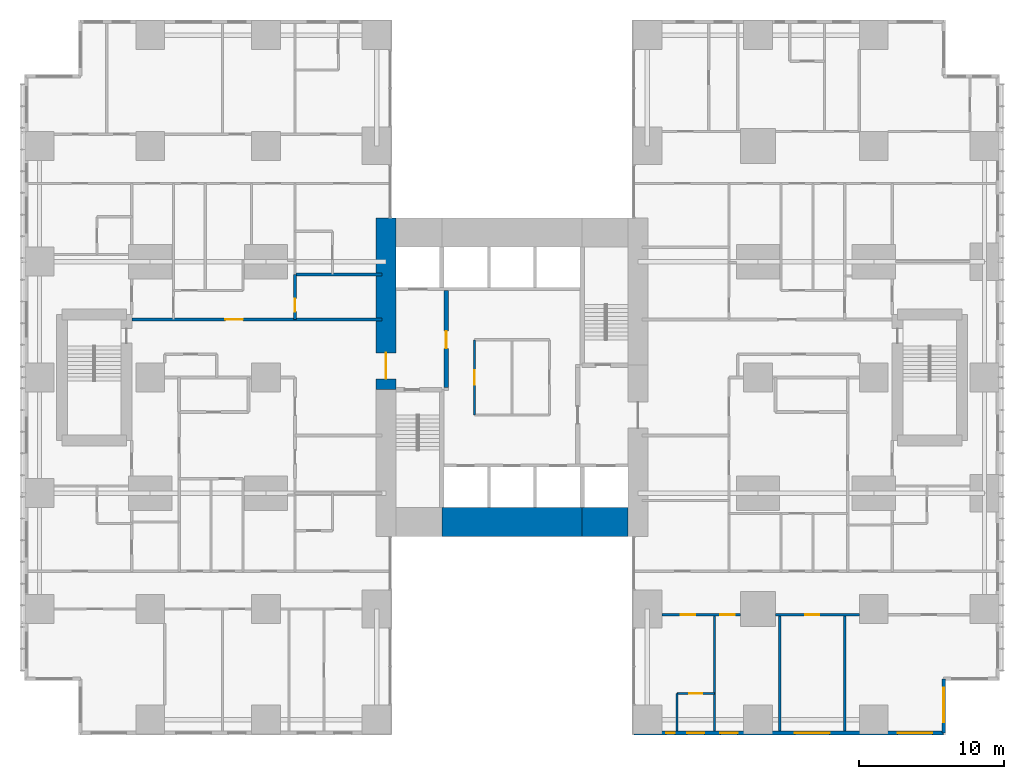
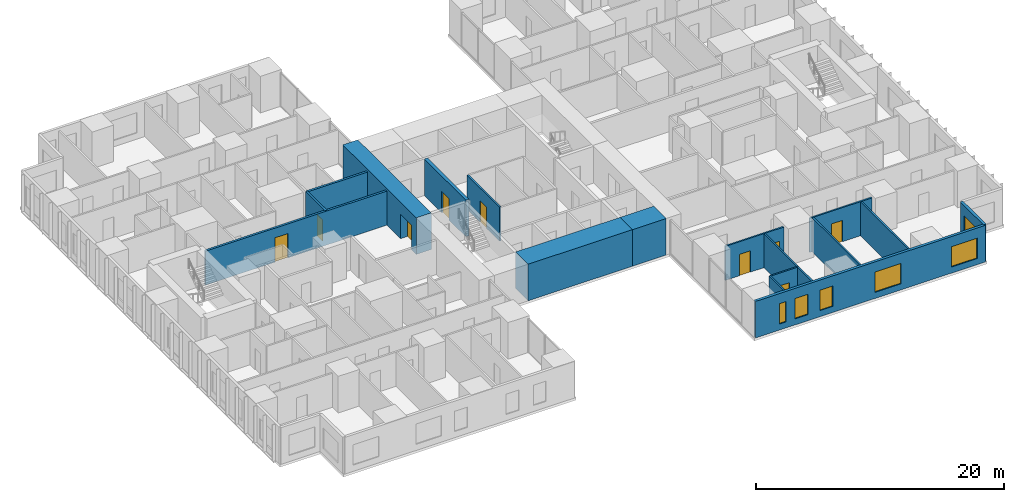
# One storey, part 14 of 20: 17 walls, 9 doors, 6 windows, 15 openings.
"""IFC4 building model written with IfcOpenShell, lengths in metres."""

from ifc_helpers import new_model, si_unit, direction, frame, frame_2d, origin, place, context, subcontext, project, spatial, rectangle, extrude, material, layer, layer_set, type_object, element, fill, save


model = new_model("IFC4")

# Units and contexts
model_context = context("Model", 3, precision=1e-05, world=origin(), true_north=direction((0.0, 1.0)))
body_context = subcontext(model_context, "Body", "Model", "MODEL_VIEW")
ifc_project = project(units=[si_unit("LENGTHUNIT", "METRE"), si_unit("AREAUNIT", "SQUARE_METRE"), si_unit("VOLUMEUNIT", "CUBIC_METRE"), si_unit("PLANEANGLEUNIT", "RADIAN"), si_unit("MASSUNIT", "GRAM", prefix="KILO")], contexts=[model_context])

# Site, building, storey
site_placement = place(None, origin())
site = spatial("IfcSite", under=ifc_project, at=site_placement, CompositionType="ELEMENT")
building_placement = place(site_placement, origin())
building = spatial("IfcBuilding", under=site, at=building_placement, Name="Cleftline Residences", CompositionType="ELEMENT")
storey_placement = place(building_placement, frame((0.0, 0.0, 36.800048828125)))
storey = spatial("IfcBuildingStorey", under=building, at=storey_placement, Name="L08", CompositionType="ELEMENT", Elevation=36.800048828125)

# Wall, opening, door
ifc_material_1 = material(Name="Concrete B70", Category="concrete")
ifc_layer_1 = layer(ifc_material_1, 1.39990234375)
ifc_layer_set_1 = layer_set([ifc_layer_1], Name="CORE WALL 1400")
wall_type_1 = type_object("IfcWallType", Name="CORE WALL 1400", PredefinedType="SHEAR", material=ifc_layer_set_1)
wall_1_placement = place(storey_placement, frame((24.300048828125, 23.14990234375, 0.0), z_axis=(0.0, 0.0, 1.0), x_axis=(0.0, 1.0, 0.0)))
wall_1 = element("IfcWall", 1, at=wall_1_placement, inside=storey, type_object=wall_type_1, Name="Core wall W", PredefinedType="SHEAR", context=body_context, shape_type="SweptSolid", body=[
    extrude(rectangle(XDim=11.85009765625, YDim=1.39990234375, at=frame_2d((5.925048828125, 0.0))), origin(), (0.0, 0.0, 1.0), 3.599853515625),
])
opening_1_placement = place(wall_1_placement, frame((0.75, 0.0, 0.0)))
opening_1 = element("IfcOpeningElement", 2, at=opening_1_placement, cuts=wall_1, Name="Opening D7", PredefinedType="OPENING", context=body_context, shape_type="SweptSolid", body=[
    extrude(rectangle(XDim=1.800048828125, YDim=2.39990234375, at=frame_2d((0.89990234375, 1.199951171875))), frame((0.0, 0.7099609375, 0.0), z_axis=(0.0, -1.0, 0.0), x_axis=(1.0, 0.0, 0.0)), (0.0, 0.0, 1.0), 1.419921875),
])
ifc_material_2 = material(Name="Steel", Category="steel")
door_type_1 = type_object("IfcDoorType", Name="WING DOOR 1800X2400", OperationType="DOUBLE_DOOR_DOUBLE_SWING", PredefinedType="DOOR", material=ifc_material_2)
door_1_placement = place(opening_1_placement, origin())
door_1 = element("IfcDoor", 3, at=door_1_placement, inside=storey, type_object=door_type_1, Name="West wing door", OperationType="DOUBLE_DOOR_DOUBLE_SWING", OverallHeight=2.39990234375, OverallWidth=1.800048828125, PredefinedType="DOOR", context=body_context, shape_type="SweptSolid", body=[
    extrude(rectangle(XDim=1.800048828125, YDim=2.39990234375, at=frame_2d((0.89990234375, 1.199951171875))), frame((0.0, 0.02490234375, 0.0), z_axis=(0.0, -1.0, 0.0), x_axis=(1.0, 0.0, 0.0)), (0.0, 0.0, 1.0), 0.050048828125),
])
fill(opening_1, door_1)

# Walls
ifc_material_3 = material(Name="Concrete B70", Category="concrete")
ifc_layer_2 = layer(ifc_material_3, 2.0)
ifc_layer_set_2 = layer_set([ifc_layer_2], Name="CORE WALL 2000")
wall_type_2 = type_object("IfcWallType", Name="CORE WALL 2000", PredefinedType="SHEAR", material=ifc_layer_set_2)
wall_2_placement = place(storey_placement, frame((28.14990234375, 14.0, 0.0), z_axis=(0.0, 0.0, 1.0), x_axis=(1.0, 0.0, 0.0)))
element("IfcWall", 4, at=wall_2_placement, inside=storey, type_object=wall_type_2, Name="Core wall S2", PredefinedType="SHEAR", context=body_context, shape_type="SweptSolid", body=[
    extrude(rectangle(XDim=9.7001953125, YDim=2.0, at=frame_2d((4.85009765625, 0.0))), origin(), (0.0, 0.0, 1.0), 3.599853515625),
])
wall_3_placement = place(storey_placement, frame((37.85009765625, 14.0, 0.0), z_axis=(0.0, 0.0, 1.0), x_axis=(1.0, 0.0, 0.0)))
element("IfcWall", 5, at=wall_3_placement, inside=storey, type_object=wall_type_2, Name="Core wall S3", PredefinedType="SHEAR", context=body_context, shape_type="SweptSolid", body=[
    extrude(rectangle(XDim=3.14990234375, YDim=2.0, at=frame_2d((1.574951171875, 0.0))), origin(), (0.0, 0.0, 1.0), 3.599853515625),
])

# Wall, openings, windows
ifc_material_4 = material(Name="Rendered reinforced concrete blockwork", Category="masonry")
ifc_layer_3 = layer(ifc_material_4, 0.25)
ifc_layer_set_3 = layer_set([ifc_layer_3], Name="EXTERNAL WALL 250")
wall_type_3 = type_object("IfcWallType", Name="EXTERNAL WALL 250", PredefinedType="SOLIDWALL", material=ifc_layer_set_3)
wall_4_placement = place(storey_placement, frame((41.425048828125, -0.574951171875, 0.0), z_axis=(0.0, 0.0, 1.0), x_axis=(1.0, 0.0, 0.0)))
wall_4 = element("IfcWall", 6, at=wall_4_placement, inside=storey, type_object=wall_type_3, Name="External wall", PredefinedType="SOLIDWALL", context=body_context, shape_type="SweptSolid", body=[
    extrude(rectangle(XDim=21.39990234375, YDim=0.25, at=frame_2d((10.699951171875, 0.0))), origin(), (0.0, 0.0, 1.0), 3.599853515625),
])
opening_2_placement = place(wall_4_placement, frame((2.22509765625, 0.0, 0.60009765625)))
opening_2 = element("IfcOpeningElement", 7, at=opening_2_placement, cuts=wall_4, Name="Opening W7", PredefinedType="OPENING", context=body_context, shape_type="SweptSolid", body=[
    extrude(rectangle(XDim=0.60009765625, YDim=2.0, at=frame_2d((0.300048828125, 1.0))), frame((0.0, 0.135009765625, 0.0), z_axis=(0.0, -1.0, 0.0), x_axis=(1.0, 0.0, 0.0)), (0.0, 0.0, 1.0), 0.27001953125),
])
opening_3_placement = place(wall_4_placement, frame((3.675048828125, 0.0, 0.60009765625)))
opening_3 = element("IfcOpeningElement", 8, at=opening_3_placement, cuts=wall_4, Name="Opening W8", PredefinedType="OPENING", context=body_context, shape_type="SweptSolid", body=[
    extrude(rectangle(XDim=1.199951171875, YDim=2.0, at=frame_2d((0.60009765625, 1.0))), frame((0.0, 0.135009765625, 0.0), z_axis=(0.0, -1.0, 0.0), x_axis=(1.0, 0.0, 0.0)), (0.0, 0.0, 1.0), 0.27001953125),
])
opening_4_placement = place(wall_4_placement, frame((5.97509765625, 0.0, 0.60009765625)))
opening_4 = element("IfcOpeningElement", 9, at=opening_4_placement, cuts=wall_4, Name="Opening W8", PredefinedType="OPENING", context=body_context, shape_type="SweptSolid", body=[
    extrude(rectangle(XDim=1.199951171875, YDim=2.0, at=frame_2d((0.60009765625, 1.0))), frame((0.0, 0.135009765625, 0.0), z_axis=(0.0, -1.0, 0.0), x_axis=(1.0, 0.0, 0.0)), (0.0, 0.0, 1.0), 0.27001953125),
])
opening_5_placement = place(wall_4_placement, frame((11.125, 0.0, 0.60009765625)))
opening_5 = element("IfcOpeningElement", 10, at=opening_5_placement, cuts=wall_4, Name="Opening W6", PredefinedType="OPENING", context=body_context, shape_type="SweptSolid", body=[
    extrude(rectangle(XDim=2.39990234375, YDim=2.0, at=frame_2d((1.199951171875, 1.0))), frame((0.0, 0.135009765625, 0.0), z_axis=(0.0, -1.0, 0.0), x_axis=(1.0, 0.0, 0.0)), (0.0, 0.0, 1.0), 0.27001953125),
])
opening_6_placement = place(wall_4_placement, frame((18.22509765625, 0.0, 0.60009765625)))
opening_6 = element("IfcOpeningElement", 11, at=opening_6_placement, cuts=wall_4, Name="Opening W6", PredefinedType="OPENING", context=body_context, shape_type="SweptSolid", body=[
    extrude(rectangle(XDim=2.39990234375, YDim=2.0, at=frame_2d((1.199951171875, 1.0))), frame((0.0, 0.135009765625, 0.0), z_axis=(0.0, -1.0, 0.0), x_axis=(1.0, 0.0, 0.0)), (0.0, 0.0, 1.0), 0.27001953125),
])
ifc_material_5 = material(Name="Aluminium frame, clear double glazing", Category="aluminium")
window_type_1 = type_object("IfcWindowType", Name="WINDOW 1200X2000", PartitioningType="DOUBLE_PANEL_VERTICAL", PredefinedType="WINDOW", material=ifc_material_5)
window_1_placement = place(opening_3_placement, origin())
window_1 = element("IfcWindow", 12, at=window_1_placement, inside=storey, type_object=window_type_1, Name="Window", OverallHeight=2.0, OverallWidth=1.199951171875, PartitioningType="SINGLE_PANEL", PredefinedType="WINDOW", context=body_context, shape_type="SweptSolid", body=[
    extrude(rectangle(XDim=1.199951171875, YDim=2.0, at=frame_2d((0.60009765625, 1.0))), frame((0.0, 0.030029296875, 0.0), z_axis=(0.0, -1.0, 0.0), x_axis=(1.0, 0.0, 0.0)), (0.0, 0.0, 1.0), 0.06005859375),
])
fill(opening_3, window_1)
window_2_placement = place(opening_4_placement, origin())
window_2 = element("IfcWindow", 13, at=window_2_placement, inside=storey, type_object=window_type_1, Name="Window", OverallHeight=2.0, OverallWidth=1.199951171875, PartitioningType="SINGLE_PANEL", PredefinedType="WINDOW", context=body_context, shape_type="SweptSolid", body=[
    extrude(rectangle(XDim=1.199951171875, YDim=2.0, at=frame_2d((0.60009765625, 1.0))), frame((0.0, 0.030029296875, 0.0), z_axis=(0.0, -1.0, 0.0), x_axis=(1.0, 0.0, 0.0)), (0.0, 0.0, 1.0), 0.06005859375),
])
fill(opening_4, window_2)
ifc_material_6 = material(Name="Aluminium frame, clear double glazing", Category="aluminium")
window_type_2 = type_object("IfcWindowType", Name="WINDOW 2400X2000", PartitioningType="DOUBLE_PANEL_VERTICAL", PredefinedType="WINDOW", material=ifc_material_6)
window_3_placement = place(opening_5_placement, origin())
window_3 = element("IfcWindow", 14, at=window_3_placement, inside=storey, type_object=window_type_2, Name="Window", OverallHeight=2.0, OverallWidth=2.39990234375, PartitioningType="SINGLE_PANEL", PredefinedType="WINDOW", context=body_context, shape_type="SweptSolid", body=[
    extrude(rectangle(XDim=2.39990234375, YDim=2.0, at=frame_2d((1.199951171875, 1.0))), frame((0.0, 0.030029296875, 0.0), z_axis=(0.0, -1.0, 0.0), x_axis=(1.0, 0.0, 0.0)), (0.0, 0.0, 1.0), 0.06005859375),
])
fill(opening_5, window_3)
window_4_placement = place(opening_6_placement, origin())
window_4 = element("IfcWindow", 15, at=window_4_placement, inside=storey, type_object=window_type_2, Name="Window", OverallHeight=2.0, OverallWidth=2.39990234375, PartitioningType="SINGLE_PANEL", PredefinedType="WINDOW", context=body_context, shape_type="SweptSolid", body=[
    extrude(rectangle(XDim=2.39990234375, YDim=2.0, at=frame_2d((1.199951171875, 1.0))), frame((0.0, 0.030029296875, 0.0), z_axis=(0.0, -1.0, 0.0), x_axis=(1.0, 0.0, 0.0)), (0.0, 0.0, 1.0), 0.06005859375),
])
fill(opening_6, window_4)
ifc_material_7 = material(Name="Aluminium frame, clear double glazing", Category="aluminium")
window_type_3 = type_object("IfcWindowType", Name="WINDOW 600X2000", PartitioningType="DOUBLE_PANEL_VERTICAL", PredefinedType="WINDOW", material=ifc_material_7)
window_5_placement = place(opening_2_placement, origin())
window_5 = element("IfcWindow", 16, at=window_5_placement, inside=storey, type_object=window_type_3, Name="Window", OverallHeight=2.0, OverallWidth=0.60009765625, PartitioningType="SINGLE_PANEL", PredefinedType="WINDOW", context=body_context, shape_type="SweptSolid", body=[
    extrude(rectangle(XDim=0.60009765625, YDim=2.0, at=frame_2d((0.300048828125, 1.0))), frame((0.0, 0.030029296875, 0.0), z_axis=(0.0, -1.0, 0.0), x_axis=(1.0, 0.0, 0.0)), (0.0, 0.0, 1.0), 0.06005859375),
])
fill(opening_2, window_5)

# Wall, opening, window
wall_5_placement = place(storey_placement, frame((62.824951171875, -0.574951171875, 0.0), z_axis=(0.0, 0.0, 1.0), x_axis=(0.0, 1.0, 0.0)))
wall_5 = element("IfcWall", 17, at=wall_5_placement, inside=storey, type_object=wall_type_3, Name="External wall", PredefinedType="SOLIDWALL", context=body_context, shape_type="SweptSolid", body=[
    extrude(rectangle(XDim=3.75, YDim=0.25, at=frame_2d((1.875, 0.0))), origin(), (0.0, 0.0, 1.0), 3.599853515625),
])
opening_7_placement = place(wall_5_placement, frame((0.737548828125, 0.0, 0.60009765625)))
opening_7 = element("IfcOpeningElement", 18, at=opening_7_placement, cuts=wall_5, Name="Opening W6", PredefinedType="OPENING", context=body_context, shape_type="SweptSolid", body=[
    extrude(rectangle(XDim=2.39990234375, YDim=2.0, at=frame_2d((1.199951171875, 1.0))), frame((0.0, 0.135009765625, 0.0), z_axis=(0.0, -1.0, 0.0), x_axis=(1.0, 0.0, 0.0)), (0.0, 0.0, 1.0), 0.27001953125),
])
window_6_placement = place(opening_7_placement, origin())
window_6 = element("IfcWindow", 19, at=window_6_placement, inside=storey, type_object=window_type_2, Name="Window", OverallHeight=2.0, OverallWidth=2.39990234375, PartitioningType="SINGLE_PANEL", PredefinedType="WINDOW", context=body_context, shape_type="SweptSolid", body=[
    extrude(rectangle(XDim=2.39990234375, YDim=2.0, at=frame_2d((1.199951171875, 1.0))), frame((0.0, 0.030029296875, 0.0), z_axis=(0.0, -1.0, 0.0), x_axis=(1.0, 0.0, 0.0)), (0.0, 0.0, 1.0), 0.06005859375),
])
fill(opening_7, window_6)

# Wall, opening, door
ifc_material_8 = material(Name="Concrete blockwork, fire rated", Category="masonry")
ifc_layer_4 = layer(ifc_material_8, 0.199951171875)
ifc_layer_set_4 = layer_set([ifc_layer_4], Name="FIRE WALL 200")
wall_type_4 = type_object("IfcWallType", Name="FIRE WALL 200", PredefinedType="PARTITIONING", material=ifc_layer_set_4)
wall_6_placement = place(storey_placement, frame((6.72509765625, 28.0, 0.0), z_axis=(0.0, 0.0, 1.0), x_axis=(1.0, 0.0, 0.0)))
wall_6 = element("IfcWall", 20, at=wall_6_placement, inside=storey, type_object=wall_type_4, Name="Fire separating wall", PredefinedType="PARTITIONING", context=body_context, shape_type="SweptSolid", body=[
    extrude(rectangle(XDim=17.27490234375, YDim=0.199951171875, at=frame_2d((8.637451171875, 0.0))), origin(), (0.0, 0.0, 1.0), 3.349853515625),
])
opening_8_placement = place(wall_6_placement, frame((6.47509765625, 0.0, 0.0)))
opening_8 = element("IfcOpeningElement", 21, at=opening_8_placement, cuts=wall_6, Name="Opening D4", PredefinedType="OPENING", context=body_context, shape_type="SweptSolid", body=[
    extrude(rectangle(XDim=1.199951171875, YDim=2.39990234375, at=frame_2d((0.60009765625, 1.199951171875))), frame((0.0, 0.10986328125, 0.0), z_axis=(0.0, -1.0, 0.0), x_axis=(1.0, 0.0, 0.0)), (0.0, 0.0, 1.0), 0.219970703125),
])
ifc_material_9 = material(Name="Timber veneer on solid core", Category="wood")
door_type_2 = type_object("IfcDoorType", Name="APARTMENT ENTRANCE DOOR 1200X2400", OperationType="SINGLE_SWING_RIGHT", PredefinedType="DOOR", material=ifc_material_9)
door_2_placement = place(opening_8_placement, origin())
door_2 = element("IfcDoor", 22, at=door_2_placement, inside=storey, type_object=door_type_2, Name="Door to residence entrance foyer", OperationType="SINGLE_SWING_RIGHT", OverallHeight=2.39990234375, OverallWidth=1.199951171875, PredefinedType="DOOR", context=body_context, shape_type="SweptSolid", body=[
    extrude(rectangle(XDim=1.199951171875, YDim=2.39990234375, at=frame_2d((0.60009765625, 1.199951171875))), frame((0.0, 0.02490234375, 0.0), z_axis=(0.0, -1.0, 0.0), x_axis=(1.0, 0.0, 0.0)), (0.0, 0.0, 1.0), 0.050048828125),
])
fill(opening_8, door_2)

# Wall
wall_7_placement = place(storey_placement, frame((18.0, 31.10009765625, 0.0), z_axis=(0.0, 0.0, 1.0), x_axis=(1.0, 0.0, 0.0)))
element("IfcWall", 23, at=wall_7_placement, inside=storey, type_object=wall_type_4, Name="Fire separating wall", PredefinedType="PARTITIONING", context=body_context, shape_type="SweptSolid", body=[
    extrude(rectangle(XDim=6.0, YDim=0.199951171875, at=frame_2d((3.0, 0.0))), origin(), (0.0, 0.0, 1.0), 3.349853515625),
])

# Wall, opening, door
wall_8_placement = place(storey_placement, frame((18.0, 28.0, 0.0), z_axis=(0.0, 0.0, 1.0), x_axis=(0.0, 1.0, 0.0)))
wall_8 = element("IfcWall", 24, at=wall_8_placement, inside=storey, type_object=wall_type_4, Name="Fire separating wall", PredefinedType="PARTITIONING", context=body_context, shape_type="SweptSolid", body=[
    extrude(rectangle(XDim=3.10009765625, YDim=0.199951171875, at=frame_2d((1.550048828125, 0.0))), origin(), (0.0, 0.0, 1.0), 3.349853515625),
])
opening_9_placement = place(wall_8_placement, frame((0.550048828125, 0.0, 0.0)))
opening_9 = element("IfcOpeningElement", 25, at=opening_9_placement, cuts=wall_8, Name="Opening D1F30", PredefinedType="OPENING", context=body_context, shape_type="SweptSolid", body=[
    extrude(rectangle(XDim=0.89990234375, YDim=2.10009765625, at=frame_2d((0.449951171875, 1.050048828125))), frame((0.0, 0.10986328125, 0.0), z_axis=(0.0, -1.0, 0.0), x_axis=(1.0, 0.0, 0.0)), (0.0, 0.0, 1.0), 0.219970703125),
])
ifc_material_10 = material(Name="Timber veneer on solid core", Category="wood")
door_type_3 = type_object("IfcDoorType", Name="DOOR 900X2100 EI 30", OperationType="SINGLE_SWING_LEFT", PredefinedType="DOOR", material=ifc_material_10)
door_3_placement = place(opening_9_placement, origin())
door_3 = element("IfcDoor", 26, at=door_3_placement, inside=storey, type_object=door_type_3, Name="Door to laundry and wc", OperationType="SINGLE_SWING_RIGHT", OverallHeight=2.10009765625, OverallWidth=0.89990234375, PredefinedType="DOOR", context=body_context, shape_type="SweptSolid", body=[
    extrude(rectangle(XDim=0.89990234375, YDim=2.10009765625, at=frame_2d((0.449951171875, 1.050048828125))), frame((0.0, 0.02490234375, 0.0), z_axis=(0.0, -1.0, 0.0), x_axis=(1.0, 0.0, 0.0)), (0.0, 0.0, 1.0), 0.050048828125),
])
fill(opening_9, door_3)

ifc_material_11 = material(Name="Gypsum board on steel studs", Category="steel")
ifc_layer_5 = layer(ifc_material_11, 0.14990234375)
ifc_layer_set_5 = layer_set([ifc_layer_5], Name="PARTITION 150")
wall_type_5 = type_object("IfcWallType", Name="PARTITION 150", PredefinedType="PARTITIONING", material=ifc_layer_set_5)
wall_9_placement = place(storey_placement, frame((44.39990234375, 2.14990234375, 0.0), z_axis=(0.0, 0.0, 1.0), x_axis=(1.0, 0.0, 0.0)))
wall_9 = element("IfcWall", 27, at=wall_9_placement, inside=storey, type_object=wall_type_5, Name="Partition", PredefinedType="PARTITIONING", context=body_context, shape_type="SweptSolid", body=[
    extrude(rectangle(XDim=2.60009765625, YDim=0.14990234375, at=frame_2d((1.300048828125, 0.0))), origin(), (0.0, 0.0, 1.0), 3.349853515625),
])
opening_10_placement = place(wall_9_placement, frame((0.85009765625, 0.0, 0.0)))
opening_10 = element("IfcOpeningElement", 28, at=opening_10_placement, cuts=wall_9, Name="Opening D1", PredefinedType="OPENING", context=body_context, shape_type="SweptSolid", body=[
    extrude(rectangle(XDim=0.89990234375, YDim=2.10009765625, at=frame_2d((0.449951171875, 1.050048828125))), frame((0.0, 0.0849609375, 0.0), z_axis=(0.0, -1.0, 0.0), x_axis=(1.0, 0.0, 0.0)), (0.0, 0.0, 1.0), 0.169921875),
])
ifc_material_12 = material(Name="Timber veneer on solid core", Category="wood")
door_type_4 = type_object("IfcDoorType", Name="DOOR 900X2100", OperationType="SINGLE_SWING_LEFT", PredefinedType="DOOR", material=ifc_material_12)
door_4_placement = place(opening_10_placement, origin())
door_4 = element("IfcDoor", 29, at=door_4_placement, inside=storey, type_object=door_type_4, Name="Door to en-suite bathroom 3", OperationType="SINGLE_SWING_LEFT", OverallHeight=2.10009765625, OverallWidth=0.89990234375, PredefinedType="DOOR", context=body_context, shape_type="SweptSolid", body=[
    extrude(rectangle(XDim=0.89990234375, YDim=2.10009765625, at=frame_2d((0.449951171875, 1.050048828125))), frame((0.0, 0.02490234375, 0.0), z_axis=(0.0, -1.0, 0.0), x_axis=(1.0, 0.0, 0.0)), (0.0, 0.0, 1.0), 0.050048828125),
])
fill(opening_10, door_4)

# Wall, openings, doors
wall_10_placement = place(storey_placement, frame((43.35009765625, 7.60009765625, 0.0), z_axis=(0.0, 0.0, 1.0), x_axis=(1.0, 0.0, 0.0)))
wall_10 = element("IfcWall", 30, at=wall_10_placement, inside=storey, type_object=wall_type_5, Name="Partition", PredefinedType="PARTITIONING", context=body_context, shape_type="SweptSolid", body=[
    extrude(rectangle(XDim=5.449951171875, YDim=0.14990234375, at=frame_2d((2.72509765625, 0.0))), origin(), (0.0, 0.0, 1.0), 3.349853515625),
])
opening_11_placement = place(wall_10_placement, frame((4.050048828125, 0.0, 0.0)))
opening_11 = element("IfcOpeningElement", 31, at=opening_11_placement, cuts=wall_10, Name="Opening D2", PredefinedType="OPENING", context=body_context, shape_type="SweptSolid", body=[
    extrude(rectangle(XDim=1.0, YDim=2.10009765625, at=frame_2d((0.5, 1.050048828125))), frame((0.0, 0.0849609375, 0.0), z_axis=(0.0, -1.0, 0.0), x_axis=(1.0, 0.0, 0.0)), (0.0, 0.0, 1.0), 0.169921875),
])
opening_12_placement = place(wall_10_placement, frame((1.324951171875, 0.0, 0.0)))
opening_12 = element("IfcOpeningElement", 32, at=opening_12_placement, cuts=wall_10, Name="Opening D2", PredefinedType="OPENING", context=body_context, shape_type="SweptSolid", body=[
    extrude(rectangle(XDim=1.0, YDim=2.10009765625, at=frame_2d((0.5, 1.050048828125))), frame((0.0, 0.0849609375, 0.0), z_axis=(0.0, -1.0, 0.0), x_axis=(1.0, 0.0, 0.0)), (0.0, 0.0, 1.0), 0.169921875),
])
ifc_material_13 = material(Name="Timber veneer on solid core", Category="wood")
door_type_5 = type_object("IfcDoorType", Name="DOOR 1000X2100", OperationType="SINGLE_SWING_LEFT", PredefinedType="DOOR", material=ifc_material_13)
door_5_placement = place(opening_11_placement, origin())
door_5 = element("IfcDoor", 33, at=door_5_placement, inside=storey, type_object=door_type_5, Name="Door to show kitchen", OperationType="SINGLE_SWING_LEFT", OverallHeight=2.10009765625, OverallWidth=1.0, PredefinedType="DOOR", context=body_context, shape_type="SweptSolid", body=[
    extrude(rectangle(XDim=1.0, YDim=2.10009765625, at=frame_2d((0.5, 1.050048828125))), frame((0.0, 0.02490234375, 0.0), z_axis=(0.0, -1.0, 0.0), x_axis=(1.0, 0.0, 0.0)), (0.0, 0.0, 1.0), 0.050048828125),
])
fill(opening_11, door_5)
door_6_placement = place(opening_12_placement, origin())
door_6 = element("IfcDoor", 34, at=door_6_placement, inside=storey, type_object=door_type_5, Name="Door to bedroom 3", OperationType="SINGLE_SWING_RIGHT", OverallHeight=2.10009765625, OverallWidth=1.0, PredefinedType="DOOR", context=body_context, shape_type="SweptSolid", body=[
    extrude(rectangle(XDim=1.0, YDim=2.10009765625, at=frame_2d((0.5, 1.050048828125))), frame((0.0, 0.02490234375, 0.0), z_axis=(0.0, -1.0, 0.0), x_axis=(1.0, 0.0, 0.0)), (0.0, 0.0, 1.0), 0.050048828125),
])
fill(opening_12, door_6)

# Wall, opening, door
wall_11_placement = place(storey_placement, frame((51.199951171875, 7.60009765625, 0.0), z_axis=(0.0, 0.0, 1.0), x_axis=(1.0, 0.0, 0.0)))
wall_11 = element("IfcWall", 35, at=wall_11_placement, inside=storey, type_object=wall_type_5, Name="Partition", PredefinedType="PARTITIONING", context=body_context, shape_type="SweptSolid", body=[
    extrude(rectangle(XDim=5.800048828125, YDim=0.14990234375, at=frame_2d((2.89990234375, 0.0))), origin(), (0.0, 0.0, 1.0), 3.349853515625),
])
opening_13_placement = place(wall_11_placement, frame((2.050048828125, 0.0, 0.0)))
opening_13 = element("IfcOpeningElement", 36, at=opening_13_placement, cuts=wall_11, Name="Opening D2", PredefinedType="OPENING", context=body_context, shape_type="SweptSolid", body=[
    extrude(rectangle(XDim=1.0, YDim=2.10009765625, at=frame_2d((0.5, 1.050048828125))), frame((0.0, 0.0849609375, 0.0), z_axis=(0.0, -1.0, 0.0), x_axis=(1.0, 0.0, 0.0)), (0.0, 0.0, 1.0), 0.169921875),
])
door_7_placement = place(opening_13_placement, origin())
door_7 = element("IfcDoor", 37, at=door_7_placement, inside=storey, type_object=door_type_5, Name="Door to dining room", OperationType="SINGLE_SWING_RIGHT", OverallHeight=2.10009765625, OverallWidth=1.0, PredefinedType="DOOR", context=body_context, shape_type="SweptSolid", body=[
    extrude(rectangle(XDim=1.0, YDim=2.10009765625, at=frame_2d((0.5, 1.050048828125))), frame((0.0, 0.02490234375, 0.0), z_axis=(0.0, -1.0, 0.0), x_axis=(1.0, 0.0, 0.0)), (0.0, 0.0, 1.0), 0.050048828125),
])
fill(opening_13, door_7)

# Walls
wall_12_placement = place(storey_placement, frame((44.39990234375, -0.449951171875, 0.0), z_axis=(0.0, 0.0, 1.0), x_axis=(0.0, 1.0, 0.0)))
element("IfcWall", 38, at=wall_12_placement, inside=storey, type_object=wall_type_5, Name="Partition", PredefinedType="PARTITIONING", context=body_context, shape_type="SweptSolid", body=[
    extrude(rectangle(XDim=2.599853515625, YDim=0.14990234375, at=frame_2d((1.2998046875, 0.0))), origin(), (0.0, 0.0, 1.0), 3.349853515625),
])
for number, where, z_axis, x_axis, name in (
    (39, (47.0, -0.449951171875, 0.0), (0.0, 0.0, 1.0), (0.0, 1.0, 0.0), "Partition"),
    (40, (51.5, -0.449951171875, 0.0), (0.0, 0.0, 1.0), (0.0, 1.0, 0.0), "Partition"),
    (41, (56.0, -0.449951171875, 0.0), (0.0, 0.0, 1.0), (0.0, 1.0, 0.0), "Partition"),
):
    element("IfcWall", number, at=place(storey_placement, frame(where, z_axis=z_axis, x_axis=x_axis)), inside=storey, type_object=wall_type_5, Name=name, PredefinedType="PARTITIONING", context=body_context, shape_type="SweptSolid", body=[
        extrude(rectangle(XDim=8.050048828125, YDim=0.14990234375, at=frame_2d((4.02490234375, 0.0))), origin(), (0.0, 0.0, 1.0), 3.349853515625),
    ])

# Wall, opening, door
ifc_material_14 = material(Name="Fire-resisting gypsum board on steel studs", Category="steel")
ifc_layer_6 = layer(ifc_material_14, 0.14990234375)
ifc_layer_set_6 = layer_set([ifc_layer_6], Name="PARTITION 150 EI 60")
wall_type_6 = type_object("IfcWallType", Name="PARTITION 150 EI 60", PredefinedType="PARTITIONING", material=ifc_layer_set_6)
wall_13_placement = place(storey_placement, frame((30.39990234375, 21.39990234375, 0.0), z_axis=(0.0, 0.0, 1.0), x_axis=(0.0, 1.0, 0.0)))
wall_13 = element("IfcWall", 42, at=wall_13_placement, inside=storey, type_object=wall_type_6, Name="Core room partition", PredefinedType="PARTITIONING", context=body_context, shape_type="SweptSolid", body=[
    extrude(rectangle(XDim=5.2001953125, YDim=0.14990234375, at=frame_2d((2.60009765625, 0.0))), origin(), (0.0, 0.0, 1.0), 3.349853515625),
])
opening_14_placement = place(wall_13_placement, frame((2.10009765625, 0.0, 0.0)))
opening_14 = element("IfcOpeningElement", 43, at=opening_14_placement, cuts=wall_13, Name="Opening D2F60", PredefinedType="OPENING", context=body_context, shape_type="SweptSolid", body=[
    extrude(rectangle(XDim=1.0, YDim=2.10009765625, at=frame_2d((0.5, 1.050048828125))), frame((0.0, 0.0849609375, 0.0), z_axis=(0.0, -1.0, 0.0), x_axis=(1.0, 0.0, 0.0)), (0.0, 0.0, 1.0), 0.169921875),
])
ifc_material_15 = material(Name="Timber veneer on solid core", Category="wood")
door_type_6 = type_object("IfcDoorType", Name="DOOR 1000X2100 EI 60", OperationType="SINGLE_SWING_LEFT", PredefinedType="DOOR", material=ifc_material_15)
door_8_placement = place(opening_14_placement, origin())
door_8 = element("IfcDoor", 44, at=door_8_placement, inside=storey, type_object=door_type_6, Name="Door to communications room", OperationType="SINGLE_SWING_LEFT", OverallHeight=2.10009765625, OverallWidth=1.0, PredefinedType="DOOR", context=body_context, shape_type="SweptSolid", body=[
    extrude(rectangle(XDim=1.0, YDim=2.10009765625, at=frame_2d((0.5, 1.050048828125))), frame((0.0, 0.02490234375, 0.0), z_axis=(0.0, -1.0, 0.0), x_axis=(1.0, 0.0, 0.0)), (0.0, 0.0, 1.0), 0.050048828125),
])
fill(opening_14, door_8)

ifc_material_16 = material(Name="Concrete blockwork, fire rated", Category="masonry")
ifc_layer_7 = layer(ifc_material_16, 0.300048828125)
ifc_layer_set_7 = layer_set([ifc_layer_7], Name="STAIR LOBBY WALL 300")
wall_type_7 = type_object("IfcWallType", Name="STAIR LOBBY WALL 300", PredefinedType="PARTITIONING", material=ifc_layer_set_7)
wall_14_placement = place(storey_placement, frame((28.449951171875, 23.300048828125, 0.0), z_axis=(0.0, 0.0, 1.0), x_axis=(0.0, 1.0, 0.0)))
wall_14 = element("IfcWall", 45, at=wall_14_placement, inside=storey, type_object=wall_type_7, Name="Stair and lobby wall FA-E", PredefinedType="PARTITIONING", context=body_context, shape_type="SweptSolid", body=[
    extrude(rectangle(XDim=6.699951171875, YDim=0.300048828125, at=frame_2d((3.35009765625, 0.0))), origin(), (0.0, 0.0, 1.0), 3.599853515625),
])
opening_15_placement = place(wall_14_placement, frame((2.699951171875, 0.0, 0.0)))
opening_15 = element("IfcOpeningElement", 46, at=opening_15_placement, cuts=wall_14, Name="Opening D6", PredefinedType="OPENING", context=body_context, shape_type="SweptSolid", body=[
    extrude(rectangle(XDim=1.199951171875, YDim=2.10009765625, at=frame_2d((0.60009765625, 1.050048828125))), frame((0.0, 0.159912109375, 0.0), z_axis=(0.0, -1.0, 0.0), x_axis=(1.0, 0.0, 0.0)), (0.0, 0.0, 1.0), 0.320068359375),
])
ifc_material_17 = material(Name="Steel", Category="steel")
door_type_7 = type_object("IfcDoorType", Name="LOBBY DOOR 1200X2100", OperationType="SINGLE_SWING_RIGHT", PredefinedType="DOOR", material=ifc_material_17)
door_9_placement = place(opening_15_placement, origin())
door_9 = element("IfcDoor", 47, at=door_9_placement, inside=storey, type_object=door_type_7, Name="Firefighting lobby A door", OperationType="SINGLE_SWING_RIGHT", OverallHeight=2.10009765625, OverallWidth=1.199951171875, PredefinedType="DOOR", context=body_context, shape_type="SweptSolid", body=[
    extrude(rectangle(XDim=1.199951171875, YDim=2.10009765625, at=frame_2d((0.60009765625, 1.050048828125))), frame((0.0, 0.02490234375, 0.0), z_axis=(0.0, -1.0, 0.0), x_axis=(1.0, 0.0, 0.0)), (0.0, 0.0, 1.0), 0.050048828125),
])
fill(opening_15, door_9)

save(model, "model.ifc")
